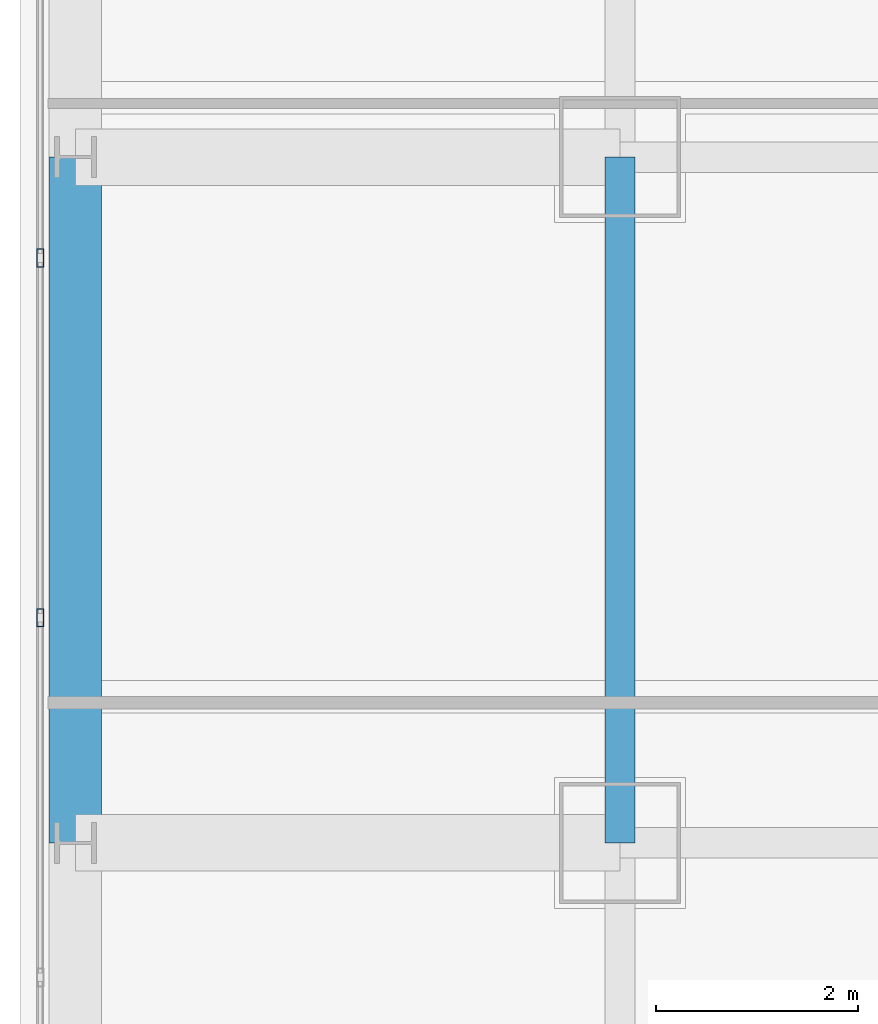
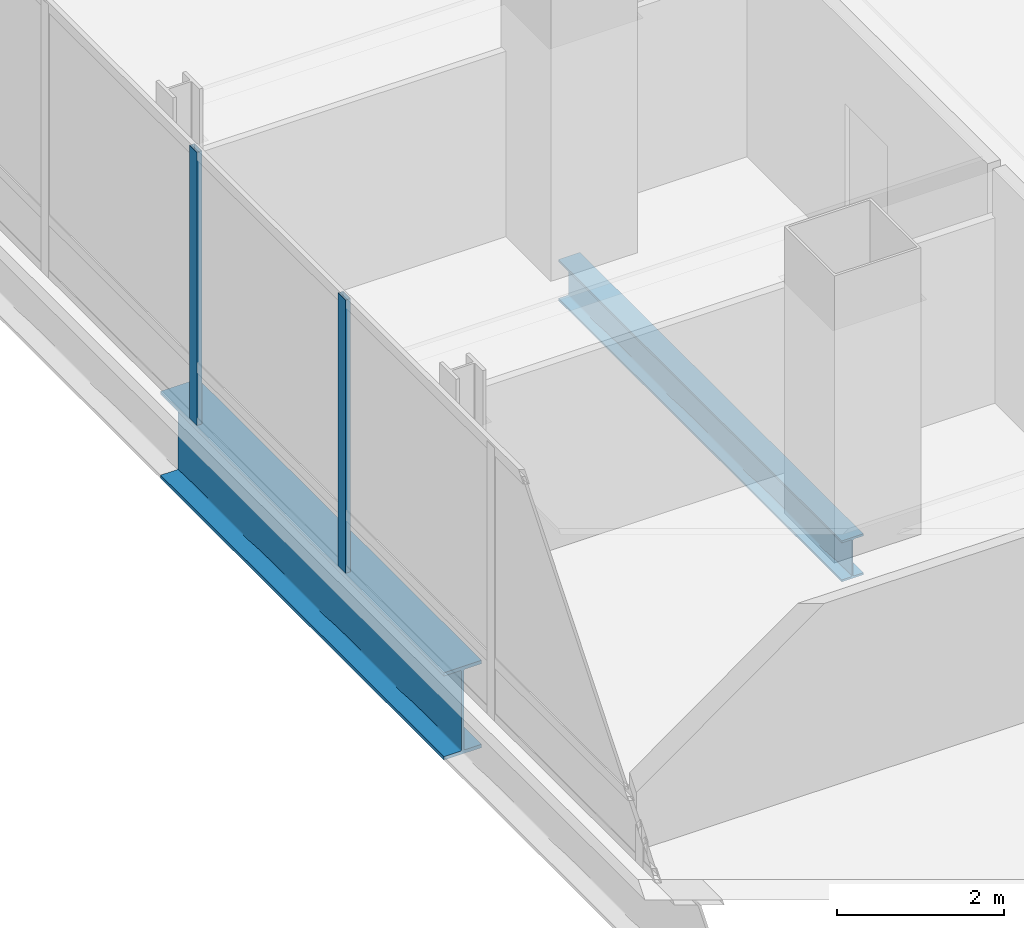
# One storey, part 11 of 42: 2 beams, 2 members, 1 element without a shape of its own.
"""IFC4 building model written with IfcOpenShell, lengths in metres."""

from ifc_helpers import new_model, si_unit, direction, frame, origin, origin_2d, place, context, subcontext, project, spatial, hollow_rectangle, i_section, extrude, material, material_profile, profile_set, type_object, element, aggregate, save


model = new_model("IFC4")

# Units and contexts
model_context = context("Model", 3, precision=1e-05, world=origin(), true_north=direction((0.0, 1.0)))
body_context = subcontext(model_context, "Body", "Model", "MODEL_VIEW")
ifc_project = project(units=[si_unit("LENGTHUNIT", "METRE"), si_unit("AREAUNIT", "SQUARE_METRE"), si_unit("VOLUMEUNIT", "CUBIC_METRE"), si_unit("PLANEANGLEUNIT", "RADIAN"), si_unit("MASSUNIT", "GRAM", prefix="KILO")], contexts=[model_context])

# Site, building, storey
site_placement = place(None, origin())
site = spatial("IfcSite", under=ifc_project, at=site_placement, CompositionType="ELEMENT")
building_placement = place(site_placement, origin())
building = spatial("IfcBuilding", under=site, at=building_placement, Name="Punatoya Terracotta Tower", CompositionType="ELEMENT")
storey_placement = place(building_placement, frame((0.0, 0.0, 296.39990234375)))
storey = spatial("IfcBuildingStorey", under=building, at=storey_placement, Name="L70", CompositionType="ELEMENT", Elevation=296.39990234375)

# Beams
ifc_material_1 = material(Name="Steel S355", Category="steel")
ifc_material_profile_1 = material_profile(ifc_material_1, i_section(OverallWidth=0.300048828125, OverallDepth=0.60009765625, WebThickness=0.015380859375, FlangeThickness=0.030029296875, FilletRadius=0.01806640625, at=origin_2d()))
ifc_profile_set_1 = profile_set([ifc_material_profile_1], Name="Steel S355")
beam_type_1 = type_object("IfcBeamType", Name="BM-PRI-600", PredefinedType="BEAM", material=ifc_profile_set_1)
beam_1_placement = place(storey_placement, frame((-19.10009765625, -3.39990234375, -0.5), z_axis=(0.0, 1.0, 0.0), x_axis=(-1.0, 0.0, 0.0)))
element("IfcBeam", 1, at=beam_1_placement, inside=storey, type_object=beam_type_1, Name="BM-L70-RG-W2", PredefinedType="BEAM", context=body_context, shape_type="SweptSolid", body=[
    extrude(i_section(OverallWidth=0.300048828125, OverallDepth=0.60009765625, WebThickness=0.015380859375, FlangeThickness=0.030029296875, FilletRadius=0.01806640625, at=origin_2d()), origin(), (0.0, 0.0, 1.0), 6.7998046875),
])
ifc_material_2 = material(Name="Steel S460", Category="steel")
ifc_material_profile_2 = material_profile(ifc_material_2, i_section(OverallWidth=0.52001953125, OverallDepth=1.280029296875, WebThickness=0.031982421875, FlangeThickness=0.050048828125, FilletRadius=0.01806640625, at=origin_2d()))
ifc_profile_set_2 = profile_set([ifc_material_profile_2], Name="Steel S460")
beam_type_2 = type_object("IfcBeamType", Name="BM-TG-NCK", PredefinedType="BEAM", material=ifc_profile_set_2)
beam_2_placement = place(storey_placement, frame((-24.5, -3.39990234375, -0.83984375), z_axis=(0.0, 1.0, 0.0), x_axis=(-1.0, 0.0, 0.0)))
element("IfcBeam", 2, at=beam_2_placement, inside=storey, type_object=beam_type_2, Name="BM-L70-PER-W2", PredefinedType="BEAM", context=body_context, shape_type="SweptSolid", body=[
    extrude(i_section(OverallWidth=0.52001953125, OverallDepth=1.280029296875, WebThickness=0.031982421875, FlangeThickness=0.050048828125, FilletRadius=0.01806640625, at=origin_2d()), origin(), (0.0, 0.0, 1.0), 6.7998046875),
])

# Curtain wall, members
ifc_material_3 = material(Name="Aluminium 6063-T6 + Double Low-E Glass", Category="aluminium")
curtain_wall_type = type_object("IfcCurtainWallType", Name="CW-M3", PredefinedType="NOTDEFINED", material=ifc_material_3)
curtain_wall_placement = place(storey_placement, origin())
curtain_wall = element("IfcCurtainWall", 3, at=curtain_wall_placement, inside=storey, type_object=curtain_wall_type, Name="L70 Curtain Wall CW-L70-W13-1", PredefinedType="NOTDEFINED")
ifc_material_4 = material(Name="Aluminium 6063-T6", Category="aluminium")
ifc_material_profile_3 = material_profile(ifc_material_4, hollow_rectangle(XDim=0.070068359375, YDim=0.179931640625, WallThickness=0.00390625, at=origin_2d()))
ifc_profile_set_3 = profile_set([ifc_material_profile_3], Name="Aluminium 6063-T6")
member_type = type_object("IfcMemberType", Name="CW-MUL-M3", PredefinedType="MULLION", material=ifc_profile_set_3)
member_1_placement = place(storey_placement, frame((-24.85009765625, 2.39990234375, 0.0), z_axis=(0.0, 0.0, 1.0), x_axis=(1.0, 0.0, 0.0)))
member_1 = element("IfcMember", 4, at=member_1_placement, type_object=member_type, Name="CW-L70-W13-1 Mullion 05", PredefinedType="MULLION", context=body_context, shape_type="SweptSolid", body=[
    extrude(hollow_rectangle(XDim=0.070068359375, YDim=0.179931640625, WallThickness=0.00390625, at=origin_2d()), origin(), (0.0, 0.0, 1.0), 4.0),
])
member_2_placement = place(storey_placement, frame((-24.85009765625, -1.16748046875, 0.0), z_axis=(0.0, 0.0, 1.0), x_axis=(1.0, 0.0, 0.0)))
member_2 = element("IfcMember", 5, at=member_2_placement, type_object=member_type, Name="CW-L70-W13-1 Mullion 06", PredefinedType="MULLION", context=body_context, shape_type="SweptSolid", body=[
    extrude(hollow_rectangle(XDim=0.070068359375, YDim=0.179931640625, WallThickness=0.00390625, at=origin_2d()), origin(), (0.0, 0.0, 1.0), 4.0),
])
aggregate(curtain_wall, [member_1, member_2])

save(model, "model.ifc")
